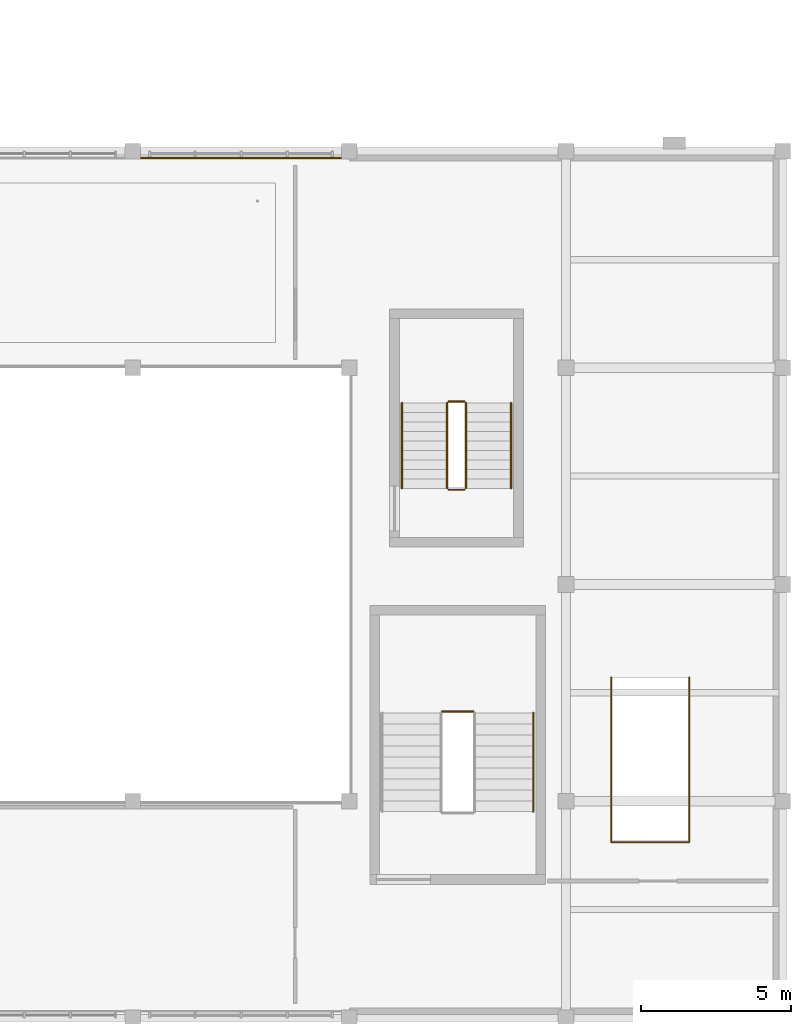
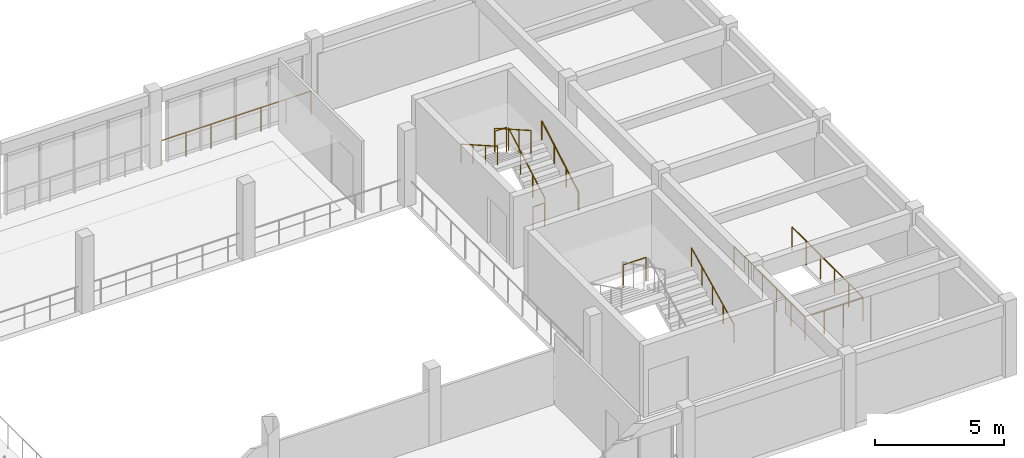
# One storey, part 83 of 99: 10 railings.
"""IFC4 building model written with IfcOpenShell, lengths in metres."""

from ifc_helpers import new_model, si_unit, direction, frame, origin, origin_2d, place, context, subcontext, project, spatial, circle, extrude, material, type_object, element, save


model = new_model("IFC4")

# Units and contexts
model_context = context("Model", 3, precision=1e-05, world=origin(), true_north=direction((0.0, 1.0)))
body_context = subcontext(model_context, "Body", "Model", "MODEL_VIEW")
ifc_project = project(units=[si_unit("LENGTHUNIT", "METRE"), si_unit("AREAUNIT", "SQUARE_METRE"), si_unit("VOLUMEUNIT", "CUBIC_METRE"), si_unit("PLANEANGLEUNIT", "RADIAN"), si_unit("MASSUNIT", "GRAM", prefix="KILO")], contexts=[model_context])

# Site, building, storey
site_placement = place(None, origin())
site = spatial("IfcSite", under=ifc_project, at=site_placement, CompositionType="ELEMENT")
building_placement = place(site_placement, origin())
building = spatial("IfcBuilding", under=site, at=building_placement, Name="Alvorim Cloister Faculty of Sciences", CompositionType="ELEMENT")
storey_placement = place(building_placement, frame((0.0, 0.0, 12.14990234375)))
storey = spatial("IfcBuildingStorey", under=building, at=storey_placement, Name="L03", CompositionType="ELEMENT", Elevation=12.14990234375)

# Railings
ifc_material_1 = material(Name="Laminated Safety Glass and Bronze", Category="glass")
railing_type_1 = type_object("IfcRailingType", Name="RL-ATR-BAL-1150", PredefinedType="BALUSTRADE", material=ifc_material_1)
railing_1_placement = place(storey_placement, frame((93.85009765625, 28.580078125, 0.0)))
element("IfcRailing", 1, at=railing_1_placement, inside=storey, type_object=railing_type_1, Name="L03 Curtain Wall Sill Guard BL-158", PredefinedType="BALUSTRADE", context=body_context, shape_type="SweptSolid", body=[
    extrude(circle(Radius=0.02392578125, at=origin_2d()), frame((0.0, 0.0, 1.1259765625), z_axis=(1.0, 0.0, 0.0), x_axis=(0.0, 1.0, 0.0)), (0.0, 0.0, 1.0), 6.699951171875),
    extrude(circle(Radius=0.02099609375, at=origin_2d()), origin(), (0.0, 0.0, 1.0), 1.101806640625),
    extrude(circle(Radius=0.02099609375, at=origin_2d()), frame((1.11669921875, 0.0, 0.0)), (0.0, 0.0, 1.0), 1.101806640625),
    extrude(circle(Radius=0.02099609375, at=origin_2d()), frame((2.2333984375, 0.0, 0.0)), (0.0, 0.0, 1.0), 1.101806640625),
    extrude(circle(Radius=0.02099609375, at=origin_2d()), frame((3.35009765625, 0.0, 0.0)), (0.0, 0.0, 1.0), 1.101806640625),
    extrude(circle(Radius=0.02099609375, at=origin_2d()), frame((4.466552734375, 0.0, 0.0)), (0.0, 0.0, 1.0), 1.101806640625),
    extrude(circle(Radius=0.02099609375, at=origin_2d()), frame((5.583251953125, 0.0, 0.0)), (0.0, 0.0, 1.0), 1.101806640625),
    extrude(circle(Radius=0.02099609375, at=origin_2d()), frame((6.699951171875, 0.0, 0.0)), (0.0, 0.0, 1.0), 1.101806640625),
])
railing_2_placement = place(storey_placement, frame((109.5048828125, 11.320068359375, 0.0)))
element("IfcRailing", 2, at=railing_2_placement, inside=storey, type_object=railing_type_1, Name="L03 Monumental Stair Well Guard BL-341", PredefinedType="BALUSTRADE", context=body_context, shape_type="SweptSolid", body=[
    extrude(circle(Radius=0.02392578125, at=origin_2d()), frame((0.0, 0.0, 1.1259765625), z_axis=(0.0, -1.0, 0.0), x_axis=(1.0, 0.0, 0.0)), (0.0, 0.0, 1.0), 5.47998046875),
    extrude(circle(Radius=0.02392578125, at=origin_2d()), frame((0.0, -5.47998046875, 1.1259765625), z_axis=(1.0, 0.0, 0.0), x_axis=(0.0, 1.0, 0.0)), (0.0, 0.0, 1.0), 2.590087890625),
    extrude(circle(Radius=0.02392578125, at=origin_2d()), frame((2.590087890625, -5.47998046875, 1.1259765625), z_axis=(0.0, 1.0, 0.0), x_axis=(-1.0, 0.0, 0.0)), (0.0, 0.0, 1.0), 5.47998046875),
    extrude(circle(Radius=0.02099609375, at=origin_2d()), origin(), (0.0, 0.0, 1.0), 1.101806640625),
    extrude(circle(Radius=0.02099609375, at=origin_2d()), frame((0.0, -1.095947265625, 0.0)), (0.0, 0.0, 1.0), 1.101806640625),
    extrude(circle(Radius=0.02099609375, at=origin_2d()), frame((0.0, -2.19189453125, 0.0)), (0.0, 0.0, 1.0), 1.101806640625),
    extrude(circle(Radius=0.02099609375, at=origin_2d()), frame((0.0, -3.2880859375, 0.0)), (0.0, 0.0, 1.0), 1.101806640625),
    extrude(circle(Radius=0.02099609375, at=origin_2d()), frame((0.0, -4.384033203125, 0.0)), (0.0, 0.0, 1.0), 1.101806640625),
    extrude(circle(Radius=0.02099609375, at=origin_2d()), frame((0.0, -5.47998046875, 0.0)), (0.0, 0.0, 1.0), 1.101806640625),
    extrude(circle(Radius=0.02099609375, at=origin_2d()), frame((0.86328125, -5.47998046875, 0.0)), (0.0, 0.0, 1.0), 1.101806640625),
    extrude(circle(Radius=0.02099609375, at=origin_2d()), frame((1.726806640625, -5.47998046875, 0.0)), (0.0, 0.0, 1.0), 1.101806640625),
    extrude(circle(Radius=0.02099609375, at=origin_2d()), frame((2.590087890625, -5.47998046875, 0.0)), (0.0, 0.0, 1.0), 1.101806640625),
    extrude(circle(Radius=0.02099609375, at=origin_2d()), frame((2.590087890625, -4.384033203125, 0.0)), (0.0, 0.0, 1.0), 1.101806640625),
    extrude(circle(Radius=0.02099609375, at=origin_2d()), frame((2.590087890625, -3.2880859375, 0.0)), (0.0, 0.0, 1.0), 1.101806640625),
    extrude(circle(Radius=0.02099609375, at=origin_2d()), frame((2.590087890625, -2.19189453125, 0.0)), (0.0, 0.0, 1.0), 1.101806640625),
    extrude(circle(Radius=0.02099609375, at=origin_2d()), frame((2.590087890625, -1.095947265625, 0.0)), (0.0, 0.0, 1.0), 1.101806640625),
    extrude(circle(Radius=0.02099609375, at=origin_2d()), frame((2.590087890625, 0.0, 0.0)), (0.0, 0.0, 1.0), 1.101806640625),
])
ifc_material_2 = material(Name="Galvanised Painted Steel", Category="steel")
railing_type_2 = type_object("IfcRailingType", Name="RL-STR-GUARD", PredefinedType="GUARDRAIL", material=ifc_material_2)
railing_3_placement = place(storey_placement, frame((104.669921875, 17.60009765625, 0.18017578125)))
element("IfcRailing", 3, at=railing_3_placement, inside=storey, type_object=railing_type_2, Name="L03 ST-06 stair guard 1", PredefinedType="GUARDRAIL", context=body_context, shape_type="SweptSolid", body=[
    extrude(circle(Radius=0.02392578125, at=origin_2d()), frame((0.0, 0.0, 1.09619140625), z_axis=(0.0, 0.868256945921, 0.496114780932), x_axis=(-1.0, 0.0, 0.0)), (0.0, 0.0, 1.0), 3.26513671875),
    extrude(circle(Radius=0.02099609375, at=origin_2d()), origin(), (0.0, 0.0, 1.0), 1.072021484375),
    extrude(circle(Radius=0.02099609375, at=origin_2d()), frame((0.0, 0.945068359375, 0.5400390625)), (0.0, 0.0, 1.0), 1.072021484375),
    extrude(circle(Radius=0.02099609375, at=origin_2d()), frame((0.0, 1.889892578125, 1.079833984375)), (0.0, 0.0, 1.0), 1.072021484375),
    extrude(circle(Radius=0.02099609375, at=origin_2d()), frame((0.0, 2.8349609375, 1.619873046875)), (0.0, 0.0, 1.0), 1.072021484375),
])
railing_4_placement = place(storey_placement, frame((104.6201171875, 20.485107421875, 1.800048828125)))
element("IfcRailing", 4, at=railing_4_placement, inside=storey, type_object=railing_type_2, Name="L03 ST-06 stair guard 2", PredefinedType="GUARDRAIL", context=body_context, shape_type="SweptSolid", body=[
    extrude(circle(Radius=0.02392578125, at=origin_2d()), frame((0.0, 0.0, 1.09619140625), z_axis=(-1.0, 0.0, 0.0), x_axis=(0.0, -1.0, 0.0)), (0.0, 0.0, 1.0), 0.52001953125),
    extrude(circle(Radius=0.02099609375, at=origin_2d()), origin(), (0.0, 0.0, 1.0), 1.072021484375),
    extrude(circle(Radius=0.02099609375, at=origin_2d()), frame((-0.52001953125, 0.0, 0.0)), (0.0, 0.0, 1.0), 1.072021484375),
])
railing_5_placement = place(storey_placement, frame((104.050048828125, 20.43505859375, 1.97998046875)))
element("IfcRailing", 5, at=railing_5_placement, inside=storey, type_object=railing_type_2, Name="L03 ST-06 stair guard 3", PredefinedType="GUARDRAIL", context=body_context, shape_type="SweptSolid", body=[
    extrude(circle(Radius=0.02392578125, at=origin_2d()), frame((0.0, 0.0, 1.09619140625), z_axis=(0.0, -0.868224736699, 0.496171146464), x_axis=(1.0, 0.0, 0.0)), (0.0, 0.0, 1.0), 3.26513671875),
    extrude(circle(Radius=0.02099609375, at=origin_2d()), origin(), (0.0, 0.0, 1.0), 1.072021484375),
    extrude(circle(Radius=0.02099609375, at=origin_2d()), frame((0.0, -0.945068359375, 0.5400390625)), (0.0, 0.0, 1.0), 1.072021484375),
    extrude(circle(Radius=0.02099609375, at=origin_2d()), frame((0.0, -1.889892578125, 1.080078125)), (0.0, 0.0, 1.0), 1.072021484375),
    extrude(circle(Radius=0.02099609375, at=origin_2d()), frame((0.0, -2.8349609375, 1.6201171875)), (0.0, 0.0, 1.0), 1.072021484375),
])
railing_6_placement = place(storey_placement, frame((104.6201171875, 17.550048828125, 0.0)))
element("IfcRailing", 6, at=railing_6_placement, inside=storey, type_object=railing_type_2, Name="L03 ST-06 stair guard 4", PredefinedType="GUARDRAIL", context=body_context, shape_type="SweptSolid", body=[
    extrude(circle(Radius=0.02392578125, at=origin_2d()), frame((0.0, 0.0, 1.09619140625), z_axis=(-1.0, 0.0, 0.0), x_axis=(0.0, -1.0, 0.0)), (0.0, 0.0, 1.0), 0.52001953125),
    extrude(circle(Radius=0.02099609375, at=origin_2d()), origin(), (0.0, 0.0, 1.0), 1.072021484375),
    extrude(circle(Radius=0.02099609375, at=origin_2d()), frame((-0.52001953125, 0.0, 0.0)), (0.0, 0.0, 1.0), 1.072021484375),
])
railing_7_placement = place(storey_placement, frame((104.909912109375, 10.18505859375, 1.800048828125)))
element("IfcRailing", 7, at=railing_7_placement, inside=storey, type_object=railing_type_2, Name="L03 ST-12 stair guard 2", PredefinedType="GUARDRAIL", context=body_context, shape_type="SweptSolid", body=[
    extrude(circle(Radius=0.02392578125, at=origin_2d()), frame((0.0, 0.0, 1.09619140625), z_axis=(-1.0, 0.0, 0.0), x_axis=(0.0, -1.0, 0.0)), (0.0, 0.0, 1.0), 1.02001953125),
    extrude(circle(Radius=0.02099609375, at=origin_2d()), origin(), (0.0, 0.0, 1.0), 1.072021484375),
    extrude(circle(Radius=0.02099609375, at=origin_2d()), frame((-1.02001953125, 0.0, 0.0)), (0.0, 0.0, 1.0), 1.072021484375),
])
ifc_material_3 = material(Name="Brushed Stainless Steel", Category="steel")
railing_type_3 = type_object("IfcRailingType", Name="RL-STR-HAND", PredefinedType="HANDRAIL", material=ifc_material_3)
railing_8_placement = place(storey_placement, frame((106.169921875, 17.60009765625, 0.18017578125)))
element("IfcRailing", 8, at=railing_8_placement, inside=storey, type_object=railing_type_3, Name="L03 ST-06 stair handrail 1", PredefinedType="HANDRAIL", context=body_context, shape_type="SweptSolid", body=[
    extrude(circle(Radius=0.02392578125, at=origin_2d()), frame((0.0, 0.0, 0.8759765625), z_axis=(0.0, 0.868256945921, 0.496114780932), x_axis=(-1.0, 0.0, 0.0)), (0.0, 0.0, 1.0), 3.26513671875),
    extrude(circle(Radius=0.02099609375, at=origin_2d()), origin(), (0.0, 0.0, 1.0), 0.851806640625),
    extrude(circle(Radius=0.02099609375, at=origin_2d()), frame((0.0, 0.945068359375, 0.5400390625)), (0.0, 0.0, 1.0), 0.851806640625),
    extrude(circle(Radius=0.02099609375, at=origin_2d()), frame((0.0, 1.889892578125, 1.079833984375)), (0.0, 0.0, 1.0), 0.851806640625),
    extrude(circle(Radius=0.02099609375, at=origin_2d()), frame((0.0, 2.8349609375, 1.619873046875)), (0.0, 0.0, 1.0), 0.851806640625),
])
railing_9_placement = place(storey_placement, frame((102.550048828125, 20.43505859375, 1.97998046875)))
element("IfcRailing", 9, at=railing_9_placement, inside=storey, type_object=railing_type_3, Name="L03 ST-06 stair handrail 2", PredefinedType="HANDRAIL", context=body_context, shape_type="SweptSolid", body=[
    extrude(circle(Radius=0.02392578125, at=origin_2d()), frame((0.0, 0.0, 0.8759765625), z_axis=(0.0, -0.868224736699, 0.496171146464), x_axis=(1.0, 0.0, 0.0)), (0.0, 0.0, 1.0), 3.26513671875),
    extrude(circle(Radius=0.02099609375, at=origin_2d()), origin(), (0.0, 0.0, 1.0), 0.851806640625),
    extrude(circle(Radius=0.02099609375, at=origin_2d()), frame((0.0, -0.945068359375, 0.5400390625)), (0.0, 0.0, 1.0), 0.851806640625),
    extrude(circle(Radius=0.02099609375, at=origin_2d()), frame((0.0, -1.889892578125, 1.080078125)), (0.0, 0.0, 1.0), 0.851806640625),
    extrude(circle(Radius=0.02099609375, at=origin_2d()), frame((0.0, -2.8349609375, 1.6201171875)), (0.0, 0.0, 1.0), 0.851806640625),
])
railing_10_placement = place(storey_placement, frame((106.909912109375, 6.85009765625, 0.18017578125)))
element("IfcRailing", 10, at=railing_10_placement, inside=storey, type_object=railing_type_3, Name="L03 ST-12 stair handrail 1", PredefinedType="HANDRAIL", context=body_context, shape_type="SweptSolid", body=[
    extrude(circle(Radius=0.02392578125, at=origin_2d()), frame((0.0, 0.0, 0.8759765625), z_axis=(0.0, 0.896879925781, 0.442274121706), x_axis=(-1.0, 0.0, 0.0)), (0.0, 0.0, 1.0), 3.66259765625),
    extrude(circle(Radius=0.02099609375, at=origin_2d()), origin(), (0.0, 0.0, 1.0), 0.851806640625),
    extrude(circle(Radius=0.02099609375, at=origin_2d()), frame((0.0, 0.8212890625, 0.405029296875)), (0.0, 0.0, 1.0), 0.851806640625),
    extrude(circle(Radius=0.02099609375, at=origin_2d()), frame((0.0, 1.642578125, 0.81005859375)), (0.0, 0.0, 1.0), 0.851806640625),
    extrude(circle(Radius=0.02099609375, at=origin_2d()), frame((0.0, 2.463623046875, 1.21484375)), (0.0, 0.0, 1.0), 0.851806640625),
    extrude(circle(Radius=0.02099609375, at=origin_2d()), frame((0.0, 3.284912109375, 1.619873046875)), (0.0, 0.0, 1.0), 0.851806640625),
])

save(model, "model.ifc")
